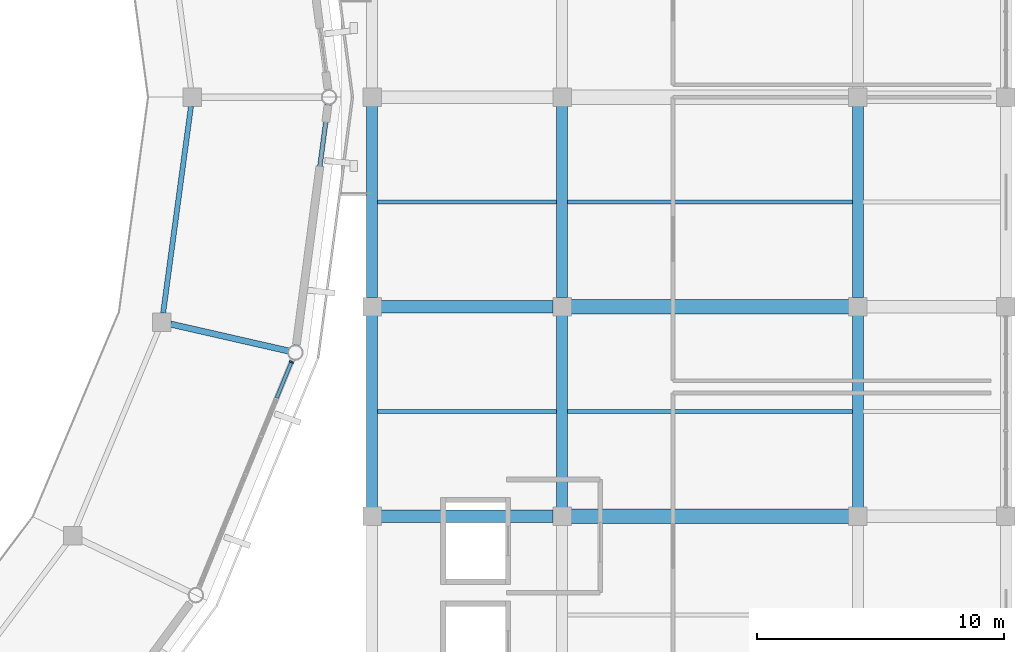
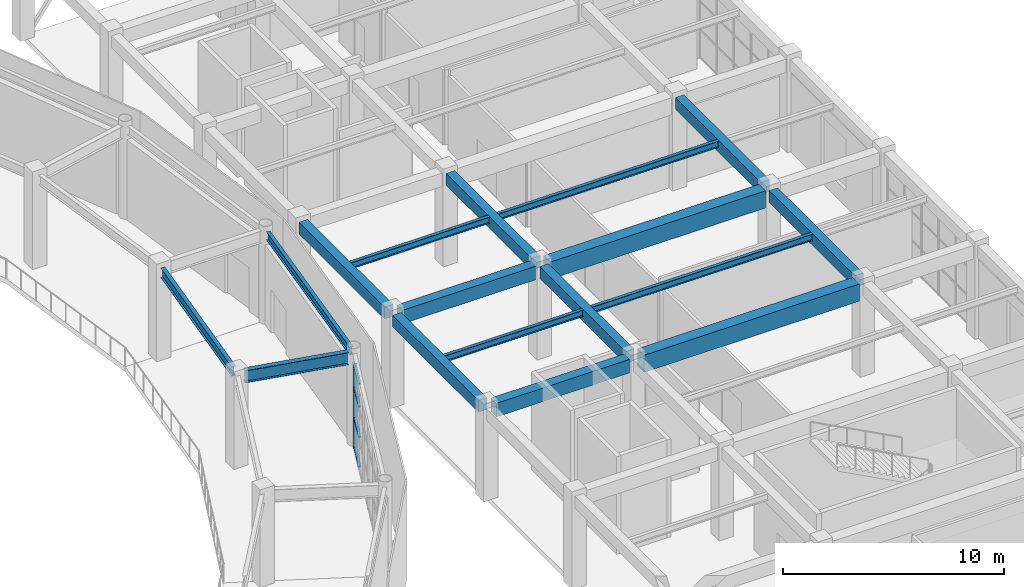
# One storey, part 35 of 70: 17 beams, 5 members, 1 element without a shape of its own.
"""IFC4 building model written with IfcOpenShell, lengths in metres."""

from ifc_helpers import new_model, si_unit, direction, frame, origin, origin_2d, place, context, subcontext, project, spatial, rectangle, i_section, extrude, material, material_profile, profile_set, type_object, element, aggregate, save


model = new_model("IFC4")

# Units and contexts
model_context = context("Model", 3, precision=1e-05, world=origin(), true_north=direction((0.0, 1.0)))
body_context = subcontext(model_context, "Body", "Model", "MODEL_VIEW")
ifc_project = project(units=[si_unit("LENGTHUNIT", "METRE"), si_unit("AREAUNIT", "SQUARE_METRE"), si_unit("VOLUMEUNIT", "CUBIC_METRE"), si_unit("PLANEANGLEUNIT", "RADIAN"), si_unit("MASSUNIT", "GRAM", prefix="KILO")], contexts=[model_context])

# Site, building, storey
site_placement = place(None, origin())
site = spatial("IfcSite", under=ifc_project, at=site_placement, CompositionType="ELEMENT")
building_placement = place(site_placement, origin())
building = spatial("IfcBuilding", under=site, at=building_placement, Name="Cuetzalor Civic Arena", CompositionType="ELEMENT")
storey_placement = place(building_placement, frame((0.0, 0.0, 21.0)))
storey = spatial("IfcBuildingStorey", under=building, at=storey_placement, Name="L04", CompositionType="ELEMENT", Elevation=21.0)

# Beams
ifc_material_1 = material(Name="Concrete C40/50", Category="concrete")
ifc_material_profile_1 = material_profile(ifc_material_1, rectangle(XDim=0.5, YDim=0.75, at=origin_2d()), Name="RC 500x750")
ifc_profile_set_1 = profile_set([ifc_material_profile_1], Name="Concrete C40/50")
beam_type_1 = type_object("IfcBeamType", Name="ConcreteFrameBeam_500x750", PredefinedType="BEAM", material=ifc_profile_set_1)
for number, where, z_axis, x_axis, name in (
    (1, (56.6650390625, -17.0, 4.7451171875), (1.0, 0.0, 0.0), (0.0, 1.0, 0.0), "Frame Girder V4E-L04-X1157"),
    (2, (56.6650390625, -8.5, 4.7451171875), (1.0, 0.0, 0.0), (0.0, 1.0, 0.0), "Frame Girder V4E-L04-X1160"),
):
    element("IfcBeam", number, at=place(storey_placement, frame(where, z_axis=z_axis, x_axis=x_axis)), inside=storey, type_object=beam_type_1, Name=name, PredefinedType="BEAM", context=body_context, shape_type="SweptSolid", body=[
        extrude(rectangle(XDim=0.5, YDim=0.75, at=origin_2d()), origin(), (0.0, 0.0, 1.0), 6.969970703125),
    ])
ifc_material_2 = material(Name="Concrete C40/50", Category="concrete")
ifc_material_profile_2 = material_profile(ifc_material_2, rectangle(XDim=0.60009765625, YDim=0.949951171875, at=origin_2d()), Name="RC 600x950")
ifc_profile_set_2 = profile_set([ifc_material_profile_2], Name="Concrete C40/50")
beam_type_2 = type_object("IfcBeamType", Name="ConcreteFrameBeam_600x950", PredefinedType="BEAM", material=ifc_profile_set_2)
for number, where, z_axis, x_axis, name in (
    (3, (64.364990234375, -17.0, 4.64501953125), (1.0, 0.0, 0.0), (0.0, 1.0, 0.0), "Frame Girder V4E-L04-X1158"),
    (4, (64.364990234375, -8.5, 4.64501953125), (1.0, 0.0, 0.0), (0.0, 1.0, 0.0), "Frame Girder V4E-L04-X1161"),
):
    element("IfcBeam", number, at=place(storey_placement, frame(where, z_axis=z_axis, x_axis=x_axis)), inside=storey, type_object=beam_type_2, Name=name, PredefinedType="BEAM", context=body_context, shape_type="SweptSolid", body=[
        extrude(rectangle(XDim=0.60009765625, YDim=0.949951171875, at=origin_2d()), origin(), (0.0, 0.0, 1.0), 11.27001953125),
    ])
ifc_material_3 = material(Name="Concrete C40/50", Category="concrete")
ifc_material_profile_3 = material_profile(ifc_material_3, rectangle(XDim=0.449951171875, YDim=0.64990234375, at=origin_2d()), Name="RC 450x650")
ifc_profile_set_3 = profile_set([ifc_material_profile_3], Name="Concrete C40/50")
beam_type_3 = type_object("IfcBeamType", Name="ConcreteTieBeam_450x650", PredefinedType="BEAM", material=ifc_profile_set_3)
for number, where, z_axis, x_axis, name in (
    (5, (56.300048828125, -16.635009765625, 4.794921875), (0.0, 1.0, 0.0), (-1.0, 0.0, 0.0), "Frame Girder V4E-L04-Y1178"),
    (6, (56.300048828125, -8.135009765625, 4.794921875), (0.0, 1.0, 0.0), (-1.0, 0.0, 0.0), "Frame Girder V4E-L04-Y1179"),
    (7, (64.0, -16.635009765625, 4.794921875), (0.0, 1.0, 0.0), (-1.0, 0.0, 0.0), "Frame Girder V4E-L04-Y1186"),
    (8, (64.0, -8.135009765625, 4.794921875), (0.0, 1.0, 0.0), (-1.0, 0.0, 0.0), "Frame Girder V4E-L04-Y1187"),
    (9, (76.0, -16.635009765625, 4.794921875), (0.0, 1.0, 0.0), (-1.0, 0.0, 0.0), "Frame Girder V4E-L04-Y1194"),
    (10, (76.0, -8.135009765625, 4.794921875), (0.0, 1.0, 0.0), (-1.0, 0.0, 0.0), "Frame Girder V4E-L04-Y1195"),
):
    element("IfcBeam", number, at=place(storey_placement, frame(where, z_axis=z_axis, x_axis=x_axis)), inside=storey, type_object=beam_type_3, Name=name, PredefinedType="BEAM", context=body_context, shape_type="SweptSolid", body=[
        extrude(rectangle(XDim=0.449951171875, YDim=0.64990234375, at=origin_2d()), origin(), (0.0, 0.0, 1.0), 7.77001953125),
    ])

# Curtain wall, members
ifc_material_4 = material(Name="Anodised dark bronze aluminium and low-E solar glass", Category="aluminium")
curtain_wall_type = type_object("IfcCurtainWallType", Name="UnitisedCW_9850x4650", PredefinedType="USERDEFINED", material=ifc_material_4)
curtain_wall_placement = place(storey_placement, origin())
curtain_wall = element("IfcCurtainWall", 11, at=curtain_wall_placement, inside=storey, type_object=curtain_wall_type, Name="Drum Triangle Foyer Curtain Wall L04-068", ObjectType="UNITISED CURTAIN WALL", PredefinedType="USERDEFINED")
ifc_material_5 = material(Name="Anodised dark bronze aluminium", Category="aluminium")
ifc_material_profile_4 = material_profile(ifc_material_5, rectangle(XDim=0.070068359375, YDim=0.179931640625, at=origin_2d()), Name="ALU MULLION 70x180")
ifc_profile_set_4 = profile_set([ifc_material_profile_4], Name="Anodised dark bronze aluminium")
member_type_1 = type_object("IfcMemberType", Name="CurtainWallMullion_65x180", PredefinedType="MULLION", material=ifc_profile_set_4)
member_1_placement = place(storey_placement, frame((53.02490234375, -10.7421875, 0.0), z_axis=(0.0, 0.0, 1.0), x_axis=(-0.379391428583, -0.925236263836, 0.0)))
member_1 = element("IfcMember", 12, at=member_1_placement, type_object=member_type_1, Name="CW-11 mullion 1", PredefinedType="MULLION", context=body_context, shape_type="SweptSolid", body=[
    extrude(rectangle(XDim=0.070068359375, YDim=0.179931640625, at=origin_2d()), origin(), (0.0, 0.0, 1.0), 4.653076171875),
])
ifc_material_6 = material(Name="Anodised dark bronze aluminium", Category="aluminium")
ifc_material_profile_5 = material_profile(ifc_material_6, rectangle(XDim=0.139892578125, YDim=0.070068359375, at=origin_2d()), Name="ALU TRANSOM 70x140")
ifc_profile_set_5 = profile_set([ifc_material_profile_5], Name="Anodised dark bronze aluminium")
member_type_2 = type_object("IfcMemberType", Name="CurtainWallTransom_65x140", PredefinedType="USERDEFINED", material=ifc_profile_set_5)
member_2_placement = place(storey_placement, frame((53.01171875, -10.774658203125, 0.034912109375), z_axis=(-0.379490282, -0.925195723005, 0.0), x_axis=(0.925195723005, -0.379490282, 0.0)))
member_2 = element("IfcMember", 13, at=member_2_placement, type_object=member_type_2, Name="CW-11 transom 1.1", ObjectType="TRANSOM", PredefinedType="USERDEFINED", context=body_context, shape_type="SweptSolid", body=[
    extrude(rectangle(XDim=0.139892578125, YDim=0.070068359375, at=origin_2d()), origin(), (0.0, 0.0, 1.0), 1.540771484375),
])
member_3_placement = place(storey_placement, frame((53.01171875, -10.774658203125, 1.675048828125), z_axis=(-0.379490282, -0.925195723005, 0.0), x_axis=(0.925195723005, -0.379490282, 0.0)))
member_3 = element("IfcMember", 14, at=member_3_placement, type_object=member_type_2, Name="CW-11 transom 1.2", ObjectType="TRANSOM", PredefinedType="USERDEFINED", context=body_context, shape_type="SweptSolid", body=[
    extrude(rectangle(XDim=0.139892578125, YDim=0.070068359375, at=origin_2d()), origin(), (0.0, 0.0, 1.0), 1.540771484375),
])
member_4_placement = place(storey_placement, frame((53.01171875, -10.774658203125, 3.35009765625), z_axis=(-0.379490282, -0.925195723005, 0.0), x_axis=(0.925195723005, -0.379490282, 0.0)))
member_4 = element("IfcMember", 15, at=member_4_placement, type_object=member_type_2, Name="CW-11 transom 1.3", ObjectType="TRANSOM", PredefinedType="USERDEFINED", context=body_context, shape_type="SweptSolid", body=[
    extrude(rectangle(XDim=0.139892578125, YDim=0.070068359375, at=origin_2d()), origin(), (0.0, 0.0, 1.0), 1.540771484375),
])
member_5_placement = place(storey_placement, frame((53.01171875, -10.774658203125, 4.617919921875), z_axis=(-0.379490282, -0.925195723005, 0.0), x_axis=(0.925195723005, -0.379490282, 0.0)))
member_5 = element("IfcMember", 16, at=member_5_placement, type_object=member_type_2, Name="CW-11 transom 1.4", ObjectType="TRANSOM", PredefinedType="USERDEFINED", context=body_context, shape_type="SweptSolid", body=[
    extrude(rectangle(XDim=0.139892578125, YDim=0.070068359375, at=origin_2d()), origin(), (0.0, 0.0, 1.0), 1.540771484375),
])
aggregate(curtain_wall, [member_1, member_2, member_3, member_4, member_5])

# Beams
ifc_material_7 = material(Name="Steel S355", Category="steel")
ifc_material_profile_6 = material_profile(ifc_material_7, i_section(OverallWidth=0.18994140625, OverallDepth=0.45703125, WebThickness=0.009033203125, FlangeThickness=0.014404296875, at=origin_2d()), Name="W460x74")
ifc_profile_set_6 = profile_set([ifc_material_profile_6], Name="Steel S355")
beam_type_4 = type_object("IfcBeamType", Name="FacadeSpandrelBeam_W460", PredefinedType="SPANDREL", material=ifc_profile_set_6)
beam_1_placement = place(storey_placement, frame((53.22021484375, -10.07080078125, 4.8916015625), z_axis=(0.130901206694, 0.991395417624, 0.0), x_axis=(-0.991395417624, 0.130901206694, 0.0)))
element("IfcBeam", 17, at=beam_1_placement, inside=storey, type_object=beam_type_4, Name="Drum Perimeter Spandrel L04-S28", PredefinedType="SPANDREL", context=body_context, shape_type="SweptSolid", body=[
    extrude(i_section(OverallWidth=0.18994140625, OverallDepth=0.45703125, WebThickness=0.009033203125, FlangeThickness=0.014404296875, at=origin_2d()), origin(), (0.0, 0.0, 1.0), 9.8681640625),
])
ifc_material_8 = material(Name="Steel S355", Category="steel")
ifc_material_profile_7 = material_profile(ifc_material_8, i_section(OverallWidth=0.1708984375, OverallDepth=0.35498046875, WebThickness=0.007080078125, FlangeThickness=0.01171875, at=origin_2d()), Name="W360x51")
ifc_profile_set_7 = profile_set([ifc_material_profile_7], Name="Steel S355")
beam_type_5 = type_object("IfcBeamType", Name="SecondaryFloorJoist_W360", PredefinedType="JOIST", material=ifc_profile_set_7)
for number, where, z_axis, x_axis, name in (
    (18, (56.51708984375, -12.75, 4.9423828125), (1.0, 0.0, 0.0), (0.0, 1.0, 0.0), "Secondary Floor Joist V4E-L04-0359"),
    (19, (56.51708984375, -4.25, 4.9423828125), (1.0, 0.0, 0.0), (0.0, 1.0, 0.0), "Secondary Floor Joist V4E-L04-0360"),
):
    element("IfcBeam", number, at=place(storey_placement, frame(where, z_axis=z_axis, x_axis=x_axis)), inside=storey, type_object=beam_type_5, Name=name, PredefinedType="JOIST", context=body_context, shape_type="SweptSolid", body=[
        extrude(i_section(OverallWidth=0.1708984375, OverallDepth=0.35498046875, WebThickness=0.007080078125, FlangeThickness=0.01171875, at=origin_2d()), origin(), (0.0, 0.0, 1.0), 7.265869140625),
    ])
for number, where, z_axis, x_axis, name in (
    (20, (64.217041015625, -12.75, 4.9423828125), (1.0, 0.0, 0.0), (0.0, 1.0, 0.0), "Secondary Floor Joist V4E-L04-0366"),
    (21, (64.217041015625, -4.25, 4.9423828125), (1.0, 0.0, 0.0), (0.0, 1.0, 0.0), "Secondary Floor Joist V4E-L04-0367"),
):
    element("IfcBeam", number, at=place(storey_placement, frame(where, z_axis=z_axis, x_axis=x_axis)), inside=storey, type_object=beam_type_5, Name=name, PredefinedType="JOIST", context=body_context, shape_type="SweptSolid", body=[
        extrude(i_section(OverallWidth=0.1708984375, OverallDepth=0.35498046875, WebThickness=0.007080078125, FlangeThickness=0.01171875, at=origin_2d()), origin(), (0.0, 0.0, 1.0), 11.56591796875),
    ])
ifc_material_9 = material(Name="Steel S355", Category="steel")
ifc_material_profile_8 = material_profile(ifc_material_9, i_section(OverallWidth=0.208984375, OverallDepth=0.532958984375, WebThickness=0.01025390625, FlangeThickness=0.015625, at=origin_2d()), Name="W530x92")
ifc_profile_set_8 = profile_set([ifc_material_profile_8], Name="Steel S355")
beam_type_6 = type_object("IfcBeamType", Name="SteelCollarGirder_W530", PredefinedType="BEAM", material=ifc_profile_set_8)
beam_2_placement = place(storey_placement, frame((47.82080078125, -8.756591796875, 4.853515625), z_axis=(0.13346702922, 0.991053253923, 0.0), x_axis=(-0.991053253923, 0.13346702922, 0.0)))
element("IfcBeam", 22, at=beam_2_placement, inside=storey, type_object=beam_type_6, Name="Drum Concourse Ring Girder L04-S28", PredefinedType="BEAM", context=body_context, shape_type="SweptSolid", body=[
    extrude(i_section(OverallWidth=0.208984375, OverallDepth=0.532958984375, WebThickness=0.01025390625, FlangeThickness=0.015625, at=origin_2d()), origin(), (0.0, 0.0, 1.0), 8.465576171875),
])
ifc_material_10 = material(Name="Steel S355", Category="steel")
ifc_material_profile_9 = material_profile(ifc_material_10, i_section(OverallWidth=0.2529296875, OverallDepth=0.677978515625, WebThickness=0.01171875, FlangeThickness=0.016357421875, at=origin_2d()), Name="W690x125")
ifc_profile_set_9 = profile_set([ifc_material_profile_9], Name="Steel S355")
beam_type_7 = type_object("IfcBeamType", Name="SteelPrimaryGirder_W690", PredefinedType="BEAM", material=ifc_profile_set_9)
beam_3_placement = place(storey_placement, frame((48.12255859375, -9.20361328125, 4.781005859375), z_axis=(0.974939153271, -0.222471677792, 0.0), x_axis=(0.222471677792, 0.974939153271, 0.0)))
element("IfcBeam", 23, at=beam_3_placement, inside=storey, type_object=beam_type_7, Name="Drum Radial Girder L04-R28", PredefinedType="BEAM", context=body_context, shape_type="SweptSolid", body=[
    extrude(i_section(OverallWidth=0.2529296875, OverallDepth=0.677978515625, WebThickness=0.01171875, FlangeThickness=0.016357421875, at=origin_2d()), origin(), (0.0, 0.0, 1.0), 4.89990234375),
])

save(model, "model.ifc")
